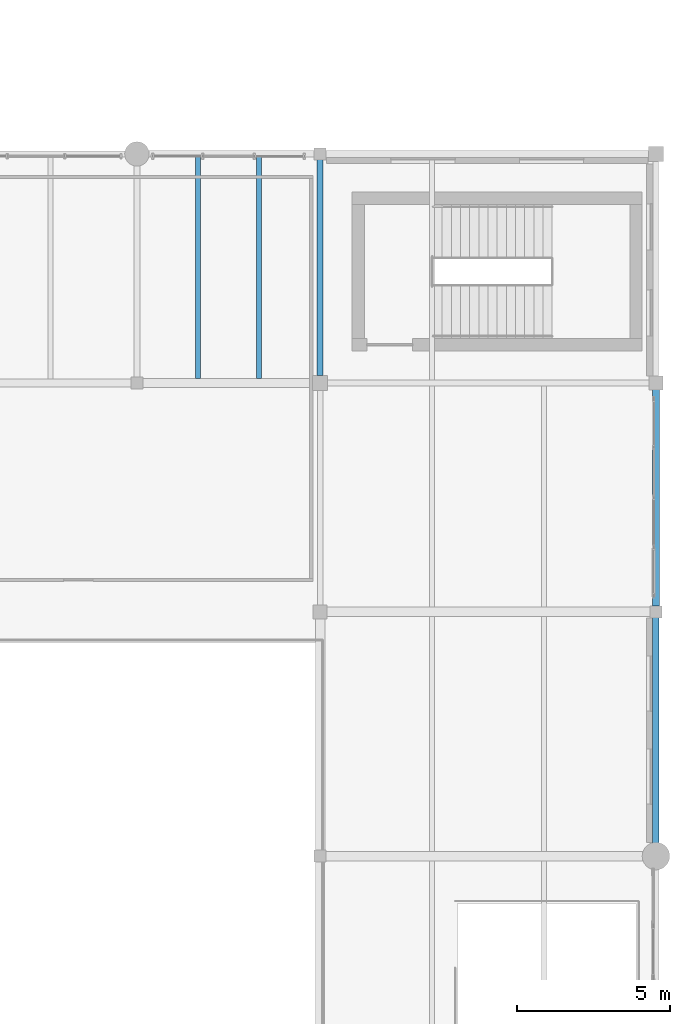
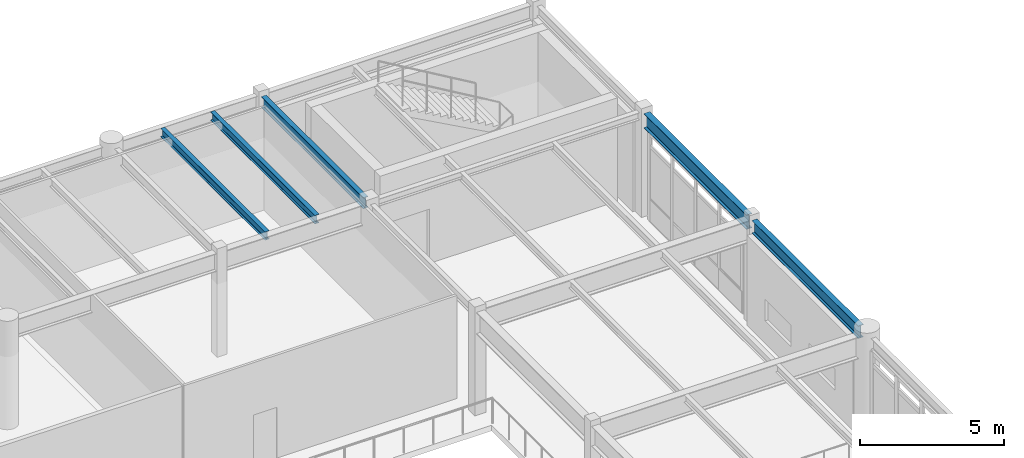
# One storey, part 109 of 168: 5 beams.
"""IFC4 building model written with IfcOpenShell, lengths in metres."""

from ifc_helpers import new_model, si_unit, direction, frame, origin, origin_2d, place, context, subcontext, project, spatial, i_section, extrude, material, material_profile, profile_set, type_object, element, save


model = new_model("IFC4")

# Units and contexts
model_context = context("Model", 3, precision=1e-05, world=origin(), true_north=direction((0.0, 1.0)))
body_context = subcontext(model_context, "Body", "Model", "MODEL_VIEW")
ifc_project = project(units=[si_unit("LENGTHUNIT", "METRE"), si_unit("AREAUNIT", "SQUARE_METRE"), si_unit("VOLUMEUNIT", "CUBIC_METRE"), si_unit("PLANEANGLEUNIT", "RADIAN"), si_unit("MASSUNIT", "GRAM", prefix="KILO"), si_unit("THERMODYNAMICTEMPERATUREUNIT", "KELVIN"), si_unit("POWERUNIT", "WATT")], contexts=[model_context])

# Site, building, storey
site_placement = place(None, origin())
site = spatial("IfcSite", under=ifc_project, at=site_placement, CompositionType="ELEMENT")
building_placement = place(site_placement, origin())
building = spatial("IfcBuilding", under=site, at=building_placement, Name="Tepalcoro Natatorium and Aquatics Centre", CompositionType="ELEMENT")
storey_placement = place(building_placement, frame((0.0, 0.0, 10.199951171875)))
storey = spatial("IfcBuildingStorey", under=building, at=storey_placement, Name="L02", CompositionType="ELEMENT", Elevation=10.199951171875)

# Beams
ifc_material = material(Name="Steel ASTM A992 Grade 50 (Fy 345 MPa)", Category="steel")
ifc_material_profile_1 = material_profile(ifc_material, i_section(OverallWidth=0.193115234375, OverallDepth=0.467041015625, WebThickness=0.010986328125, FlangeThickness=0.01904296875, FilletRadius=0.013916015625, at=origin_2d()), Name="W18X65")
ifc_profile_set_1 = profile_set([ifc_material_profile_1], Name="Steel ASTM A992 Grade 50 (Fy 345 MPa)")
beam_type_1 = type_object("IfcBeamType", Name="BM_W18x65", PredefinedType="BEAM", material=ifc_profile_set_1)
beam_1_placement = place(storey_placement, frame((165.0, 51.735107421875, 4.131591796875), z_axis=(0.0, 1.0, 0.0), x_axis=(-1.0, 0.0, 0.0)))
element("IfcBeam", 1, at=beam_1_placement, inside=storey, type_object=beam_type_1, Name="V2 L02 Grid Girder Y", PredefinedType="BEAM", context=body_context, shape_type="SweptSolid", body=[
    extrude(i_section(OverallWidth=0.193115234375, OverallDepth=0.467041015625, WebThickness=0.010986328125, FlangeThickness=0.01904296875, FilletRadius=0.013916015625, at=origin_2d()), origin(), (0.0, 0.0, 1.0), 7.079833984375),
])
ifc_material_profile_2 = material_profile(ifc_material, i_section(OverallWidth=0.1708984375, OverallDepth=0.35107421875, WebThickness=0.007080078125, FlangeThickness=0.010009765625, FilletRadius=0.013916015625, at=origin_2d()), Name="W14X30")
ifc_profile_set_2 = profile_set([ifc_material_profile_2], Name="Steel ASTM A992 Grade 50 (Fy 345 MPa)")
beam_type_2 = type_object("IfcBeamType", Name="JS_W14x30", PredefinedType="JOIST", material=ifc_profile_set_2)
beam_2_placement = place(storey_placement, frame((161.0, 51.64599609375, 4.189453125), z_axis=(0.0, 1.0, 0.0), x_axis=(-1.0, 0.0, 0.0)))
element("IfcBeam", 2, at=beam_2_placement, inside=storey, type_object=beam_type_2, Name="V2 L02 Floor Joist", PredefinedType="JOIST", context=body_context, shape_type="SweptSolid", body=[
    extrude(i_section(OverallWidth=0.1708984375, OverallDepth=0.35107421875, WebThickness=0.007080078125, FlangeThickness=0.010009765625, FilletRadius=0.013916015625, at=origin_2d()), origin(), (0.0, 0.0, 1.0), 7.2490234375),
])
ifc_material_profile_3 = material_profile(ifc_material, i_section(OverallWidth=0.172119140625, OverallDepth=0.35791015625, WebThickness=0.008056640625, FlangeThickness=0.012939453125, FilletRadius=0.013916015625, at=origin_2d()), Name="W14X38")
ifc_profile_set_3 = profile_set([ifc_material_profile_3], Name="Steel ASTM A992 Grade 50 (Fy 345 MPa)")
beam_type_3 = type_object("IfcBeamType", Name="JS_W14x38", PredefinedType="JOIST", material=ifc_profile_set_3)
beam_3_placement = place(storey_placement, frame((163.0, 51.64599609375, 4.18603515625), z_axis=(0.0, 1.0, 0.0), x_axis=(-1.0, 0.0, 0.0)))
element("IfcBeam", 3, at=beam_3_placement, inside=storey, type_object=beam_type_3, Name="V2 L02 Floor Joist", PredefinedType="JOIST", context=body_context, shape_type="SweptSolid", body=[
    extrude(i_section(OverallWidth=0.172119140625, OverallDepth=0.35791015625, WebThickness=0.008056640625, FlangeThickness=0.012939453125, FilletRadius=0.013916015625, at=origin_2d()), origin(), (0.0, 0.0, 1.0), 7.2490234375),
])
ifc_material_profile_4 = material_profile(ifc_material, i_section(OverallWidth=0.2099609375, OverallDepth=0.535888671875, WebThickness=0.010986328125, FlangeThickness=0.01708984375, FilletRadius=0.013916015625, at=origin_2d()), Name="W21X68")
ifc_profile_set_4 = profile_set([ifc_material_profile_4], Name="Steel ASTM A992 Grade 50 (Fy 345 MPa)")
beam_type_4 = type_object("IfcBeamType", Name="SP_W21x68", PredefinedType="SPANDREL", material=ifc_profile_set_4)
beam_4_placement = place(storey_placement, frame((176.0, 36.43505859375, 4.09716796875), z_axis=(0.0, 1.0, 0.0), x_axis=(-1.0, 0.0, 0.0)))
element("IfcBeam", 4, at=beam_4_placement, inside=storey, type_object=beam_type_4, Name="V2 L02 Grid Girder Y", PredefinedType="SPANDREL", context=body_context, shape_type="SweptSolid", body=[
    extrude(i_section(OverallWidth=0.2099609375, OverallDepth=0.535888671875, WebThickness=0.010986328125, FlangeThickness=0.01708984375, FilletRadius=0.013916015625, at=origin_2d()), origin(), (0.0, 0.0, 1.0), 7.3798828125),
])
ifc_material_profile_5 = material_profile(ifc_material, i_section(OverallWidth=0.22900390625, OverallDepth=0.612060546875, WebThickness=0.011962890625, FlangeThickness=0.02001953125, FilletRadius=0.013916015625, at=origin_2d()), Name="W24X84")
ifc_profile_set_5 = profile_set([ifc_material_profile_5], Name="Steel ASTM A992 Grade 50 (Fy 345 MPa)")
beam_type_5 = type_object("IfcBeamType", Name="SP_W24x84", PredefinedType="SPANDREL", material=ifc_profile_set_5)
beam_5_placement = place(storey_placement, frame((176.0, 44.18505859375, 4.05908203125), z_axis=(0.0, 1.0, 0.0), x_axis=(-1.0, 0.0, 0.0)))
element("IfcBeam", 5, at=beam_5_placement, inside=storey, type_object=beam_type_5, Name="V2 L02 Grid Girder Y", PredefinedType="SPANDREL", context=body_context, shape_type="SweptSolid", body=[
    extrude(i_section(OverallWidth=0.22900390625, OverallDepth=0.612060546875, WebThickness=0.011962890625, FlangeThickness=0.02001953125, FilletRadius=0.013916015625, at=origin_2d()), origin(), (0.0, 0.0, 1.0), 7.10498046875),
])

save(model, "model.ifc")
